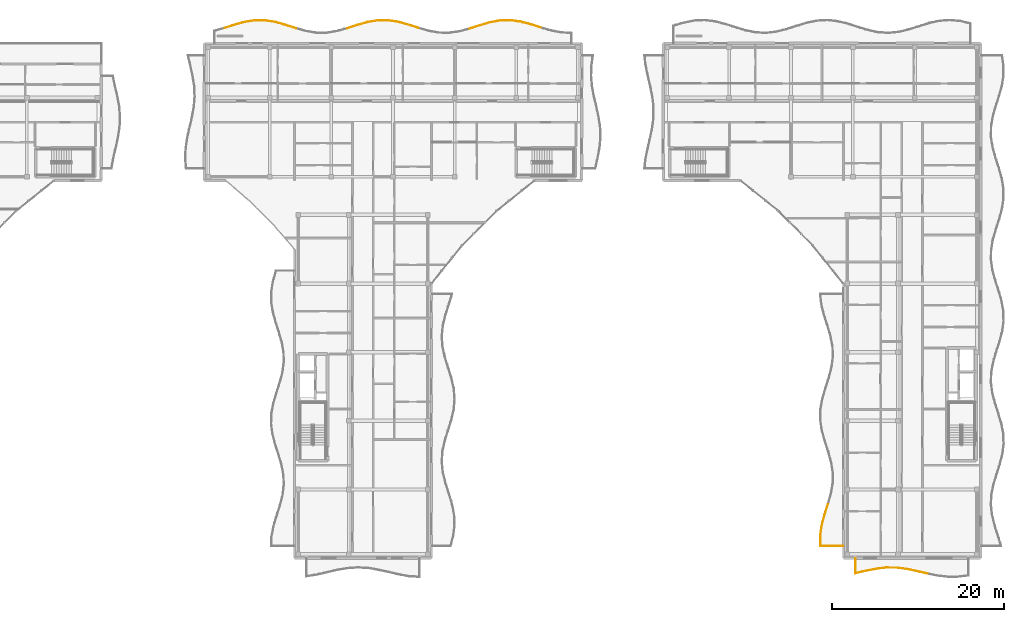
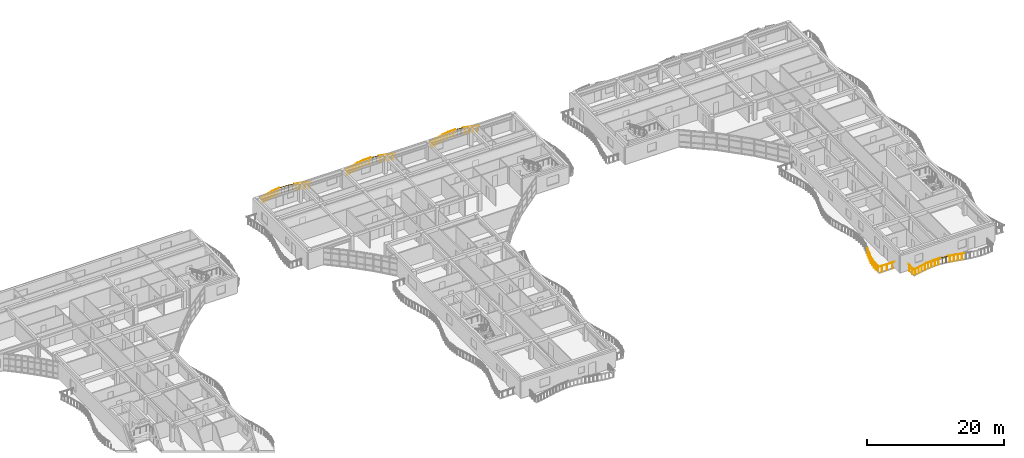
# One storey, part 61 of 68: 34 railings.
"""IFC4 building model written with IfcOpenShell, lengths in metres."""

from ifc_helpers import new_model, si_unit, direction, frame, origin, origin_2d, place, context, subcontext, project, spatial, circle, extrude, material, type_object, element, save


model = new_model("IFC4")

# Units and contexts
model_context = context("Model", 3, precision=1e-05, world=origin(), true_north=direction((0.0, 1.0)))
body_context = subcontext(model_context, "Body", "Model", "MODEL_VIEW")
ifc_project = project(units=[si_unit("LENGTHUNIT", "METRE"), si_unit("AREAUNIT", "SQUARE_METRE"), si_unit("VOLUMEUNIT", "CUBIC_METRE"), si_unit("PLANEANGLEUNIT", "RADIAN"), si_unit("MASSUNIT", "GRAM", prefix="KILO")], contexts=[model_context])

# Site, building, storey
site_placement = place(None, origin())
site = spatial("IfcSite", under=ifc_project, at=site_placement, CompositionType="ELEMENT")
building_placement = place(site_placement, origin())
building = spatial("IfcBuilding", under=site, at=building_placement, Name="Keldmere Railside Commons", CompositionType="ELEMENT")
storey_placement = place(building_placement, frame((0.0, 0.0, 23.360107421875)))
storey = spatial("IfcBuildingStorey", under=building, at=storey_placement, Name="L07", CompositionType="ELEMENT", Elevation=23.360107421875)

# Railings
ifc_material = material(Name="Steel F-24 (S235)", Category="steel")
railing_type = type_object("IfcRailingType", Name="Balcony & Terrace Steel Balustrade 1100", PredefinedType="BALUSTRADE", material=ifc_material)
railing_1_placement = place(storey_placement, frame((95.888671875, 117.790283203125, 0.0)))
element("IfcRailing", 1, at=railing_1_placement, inside=storey, type_object=railing_type, Name="GR-1 GRD-L07-2632", PredefinedType="BALUSTRADE", context=body_context, shape_type="SweptSolid", body=[
    extrude(circle(Radius=0.02392578125, at=origin_2d()), frame((0.0, 0.0, 1.076171875), z_axis=(0.951498381706, 0.307653749549, 0.0), x_axis=(-0.307653749549, 0.951498381706, 0.0)), (0.0, 0.0, 1.0), 1.2490234375),
    extrude(circle(Radius=0.02099609375, at=origin_2d()), frame((0.297119140625, 0.09619140625, 0.0)), (0.0, 0.0, 1.0), 1.048095703125),
    extrude(circle(Radius=0.02099609375, at=origin_2d()), frame((0.891357421875, 0.2880859375, 0.0)), (0.0, 0.0, 1.0), 1.048095703125),
])
railing_2_placement = place(storey_placement, frame((97.0771484375, 118.174560546875, 0.0)))
element("IfcRailing", 2, at=railing_2_placement, inside=storey, type_object=railing_type, Name="GR-1 GRD-L07-2633", PredefinedType="BALUSTRADE", context=body_context, shape_type="SweptSolid", body=[
    extrude(circle(Radius=0.02392578125, at=origin_2d()), frame((0.0, 0.0, 1.076171875), z_axis=(0.964544007788, 0.263922066223, 0.0), x_axis=(-0.263922066223, 0.964544007788, 0.0)), (0.0, 0.0, 1.0), 1.232177734375),
    extrude(circle(Radius=0.02099609375, at=origin_2d()), frame((0.297119140625, 0.081298828125, 0.0)), (0.0, 0.0, 1.0), 1.048095703125),
    extrude(circle(Radius=0.02099609375, at=origin_2d()), frame((0.891357421875, 0.243896484375, 0.0)), (0.0, 0.0, 1.0), 1.048095703125),
])
railing_3_placement = place(storey_placement, frame((98.265625, 118.499755859375, 0.0)))
element("IfcRailing", 3, at=railing_3_placement, inside=storey, type_object=railing_type, Name="GR-1 GRD-L07-2634", PredefinedType="BALUSTRADE", context=body_context, shape_type="SweptSolid", body=[
    extrude(circle(Radius=0.02392578125, at=origin_2d()), frame((0.0, 0.0, 1.076171875), z_axis=(0.988647049883, 0.150256483244, 0.0), x_axis=(-0.150256483244, 0.988647049883, 0.0)), (0.0, 0.0, 1.0), 1.202392578125),
    extrude(circle(Radius=0.02099609375, at=origin_2d()), frame((0.297119140625, 0.045166015625, 0.0)), (0.0, 0.0, 1.0), 1.048095703125),
    extrude(circle(Radius=0.02099609375, at=origin_2d()), frame((0.8916015625, 0.135498046875, 0.0)), (0.0, 0.0, 1.0), 1.048095703125),
])
railing_4_placement = place(storey_placement, frame((99.454345703125, 118.680419921875, 0.0)))
element("IfcRailing", 4, at=railing_4_placement, inside=storey, type_object=railing_type, Name="GR-1 GRD-L07-2635", PredefinedType="BALUSTRADE", context=body_context, shape_type="SweptSolid", body=[
    extrude(circle(Radius=0.02392578125, at=origin_2d()), frame((0.0, 0.0, 1.076171875), z_axis=(0.999953394817, -0.009654439104, 0.0), x_axis=(0.009654439104, 0.999953394817, 0.0)), (0.0, 0.0, 1.0), 1.1884765625),
    extrude(circle(Radius=0.02099609375, at=origin_2d()), frame((0.297119140625, -0.0029296875, 0.0)), (0.0, 0.0, 1.0), 1.048095703125),
    extrude(circle(Radius=0.02099609375, at=origin_2d()), frame((0.891357421875, -0.008544921875, 0.0)), (0.0, 0.0, 1.0), 1.048095703125),
])
railing_5_placement = place(storey_placement, frame((100.642822265625, 118.6689453125, 0.0)))
element("IfcRailing", 5, at=railing_5_placement, inside=storey, type_object=railing_type, Name="GR-1 GRD-L07-2636", PredefinedType="BALUSTRADE", context=body_context, shape_type="SweptSolid", body=[
    extrude(circle(Radius=0.02392578125, at=origin_2d()), frame((0.0, 0.0, 1.076171875), z_axis=(0.986074553432, -0.166303863675, 0.0), x_axis=(0.166303863675, 0.986074553432, 0.0)), (0.0, 0.0, 1.0), 1.205322265625),
    extrude(circle(Radius=0.02099609375, at=origin_2d()), frame((0.297119140625, -0.050048828125, 0.0)), (0.0, 0.0, 1.0), 1.048095703125),
    extrude(circle(Radius=0.02099609375, at=origin_2d()), frame((0.891357421875, -0.150390625, 0.0)), (0.0, 0.0, 1.0), 1.048095703125),
])
railing_6_placement = place(storey_placement, frame((101.831298828125, 118.468505859375, 0.0)))
element("IfcRailing", 6, at=railing_6_placement, inside=storey, type_object=railing_type, Name="GR-1 GRD-L07-2637", PredefinedType="BALUSTRADE", context=body_context, shape_type="SweptSolid", body=[
    extrude(circle(Radius=0.02392578125, at=origin_2d()), frame((0.0, 0.0, 1.076171875), z_axis=(0.962103401282, -0.27268488268, 0.0), x_axis=(0.27268488268, 0.962103401282, 0.0)), (0.0, 0.0, 1.0), 1.235595703125),
    extrude(circle(Radius=0.02099609375, at=origin_2d()), frame((0.297119140625, -0.084228515625, 0.0)), (0.0, 0.0, 1.0), 1.048095703125),
    extrude(circle(Radius=0.02099609375, at=origin_2d()), frame((0.8916015625, -0.252685546875, 0.0)), (0.0, 0.0, 1.0), 1.048095703125),
])
railing_7_placement = place(storey_placement, frame((103.02001953125, 118.131591796875, 0.0)))
element("IfcRailing", 7, at=railing_7_placement, inside=storey, type_object=railing_type, Name="GR-1 GRD-L07-2638", PredefinedType="BALUSTRADE", context=body_context, shape_type="SweptSolid", body=[
    extrude(circle(Radius=0.02392578125, at=origin_2d()), frame((0.0, 0.0, 1.076171875), z_axis=(0.951441151342, -0.307830692967, 0.0), x_axis=(0.307830692967, 0.951441151342, 0.0)), (0.0, 0.0, 1.0), 1.2490234375),
    extrude(circle(Radius=0.02099609375, at=origin_2d()), frame((0.297119140625, -0.09619140625, 0.0)), (0.0, 0.0, 1.0), 1.048095703125),
    extrude(circle(Radius=0.02099609375, at=origin_2d()), frame((0.891357421875, -0.288330078125, 0.0)), (0.0, 0.0, 1.0), 1.048095703125),
])
railing_8_placement = place(storey_placement, frame((110.1513671875, 117.746826171875, 0.0)))
element("IfcRailing", 8, at=railing_8_placement, inside=storey, type_object=railing_type, Name="GR-1 GRD-L07-2644", PredefinedType="BALUSTRADE", context=body_context, shape_type="SweptSolid", body=[
    extrude(circle(Radius=0.02392578125, at=origin_2d()), frame((0.0, 0.0, 1.076171875), z_axis=(0.951459666784, 0.307773459681, 0.0), x_axis=(-0.307773459681, 0.951459666784, 0.0)), (0.0, 0.0, 1.0), 1.249267578125),
    extrude(circle(Radius=0.02099609375, at=origin_2d()), frame((0.297119140625, 0.09619140625, 0.0)), (0.0, 0.0, 1.0), 1.048095703125),
    extrude(circle(Radius=0.02099609375, at=origin_2d()), frame((0.8916015625, 0.288330078125, 0.0)), (0.0, 0.0, 1.0), 1.048095703125),
])
railing_9_placement = place(storey_placement, frame((111.340087890625, 118.13134765625, 0.0)))
element("IfcRailing", 9, at=railing_9_placement, inside=storey, type_object=railing_type, Name="GR-1 GRD-L07-2645", PredefinedType="BALUSTRADE", context=body_context, shape_type="SweptSolid", body=[
    extrude(circle(Radius=0.02392578125, at=origin_2d()), frame((0.0, 0.0, 1.076171875), z_axis=(0.962088704307, 0.272736732117, 0.0), x_axis=(-0.272736732117, 0.962088704307, 0.0)), (0.0, 0.0, 1.0), 1.2353515625),
    extrude(circle(Radius=0.02099609375, at=origin_2d()), frame((0.297119140625, 0.084228515625, 0.0)), (0.0, 0.0, 1.0), 1.048095703125),
    extrude(circle(Radius=0.02099609375, at=origin_2d()), frame((0.891357421875, 0.252685546875, 0.0)), (0.0, 0.0, 1.0), 1.048095703125),
])
railing_10_placement = place(storey_placement, frame((112.528564453125, 118.46826171875, 0.0)))
element("IfcRailing", 10, at=railing_10_placement, inside=storey, type_object=railing_type, Name="GR-1 GRD-L07-2646", PredefinedType="BALUSTRADE", context=body_context, shape_type="SweptSolid", body=[
    extrude(circle(Radius=0.02392578125, at=origin_2d()), frame((0.0, 0.0, 1.076171875), z_axis=(0.986074553432, 0.166303863675, 0.0), x_axis=(-0.166303863675, 0.986074553432, 0.0)), (0.0, 0.0, 1.0), 1.205322265625),
    extrude(circle(Radius=0.02099609375, at=origin_2d()), frame((0.297119140625, 0.050048828125, 0.0)), (0.0, 0.0, 1.0), 1.048095703125),
    extrude(circle(Radius=0.02099609375, at=origin_2d()), frame((0.891357421875, 0.150390625, 0.0)), (0.0, 0.0, 1.0), 1.048095703125),
])
railing_11_placement = place(storey_placement, frame((113.717041015625, 118.668701171875, 0.0)))
element("IfcRailing", 11, at=railing_11_placement, inside=storey, type_object=railing_type, Name="GR-1 GRD-L07-2647", PredefinedType="BALUSTRADE", context=body_context, shape_type="SweptSolid", body=[
    extrude(circle(Radius=0.02392578125, at=origin_2d()), frame((0.0, 0.0, 1.076171875), z_axis=(0.999951410629, 0.009857808115, 0.0), x_axis=(-0.009857808115, 0.999951410629, 0.0)), (0.0, 0.0, 1.0), 1.188720703125),
    extrude(circle(Radius=0.02099609375, at=origin_2d()), frame((0.297119140625, 0.0029296875, 0.0)), (0.0, 0.0, 1.0), 1.048095703125),
    extrude(circle(Radius=0.02099609375, at=origin_2d()), frame((0.8916015625, 0.0087890625, 0.0)), (0.0, 0.0, 1.0), 1.048095703125),
])
railing_12_placement = place(storey_placement, frame((114.90576171875, 118.680419921875, 0.0)))
element("IfcRailing", 12, at=railing_12_placement, inside=storey, type_object=railing_type, Name="GR-1 GRD-L07-2648", PredefinedType="BALUSTRADE", context=body_context, shape_type="SweptSolid", body=[
    extrude(circle(Radius=0.02392578125, at=origin_2d()), frame((0.0, 0.0, 1.076171875), z_axis=(0.988672620323, -0.150088140185, 0.0), x_axis=(0.150088140185, 0.988672620323, 0.0)), (0.0, 0.0, 1.0), 1.2021484375),
    extrude(circle(Radius=0.02099609375, at=origin_2d()), frame((0.297119140625, -0.045166015625, 0.0)), (0.0, 0.0, 1.0), 1.048095703125),
    extrude(circle(Radius=0.02099609375, at=origin_2d()), frame((0.891357421875, -0.13525390625, 0.0)), (0.0, 0.0, 1.0), 1.048095703125),
])
railing_13_placement = place(storey_placement, frame((116.09423828125, 118.5, 0.0)))
element("IfcRailing", 13, at=railing_13_placement, inside=storey, type_object=railing_type, Name="GR-1 GRD-L07-2649", PredefinedType="BALUSTRADE", context=body_context, shape_type="SweptSolid", body=[
    extrude(circle(Radius=0.02392578125, at=origin_2d()), frame((0.0, 0.0, 1.076171875), z_axis=(0.964557805225, -0.26387163618, 0.0), x_axis=(0.26387163618, 0.964557805225, 0.0)), (0.0, 0.0, 1.0), 1.232421875),
    extrude(circle(Radius=0.02099609375, at=origin_2d()), frame((0.297119140625, -0.081298828125, 0.0)), (0.0, 0.0, 1.0), 1.048095703125),
    extrude(circle(Radius=0.02099609375, at=origin_2d()), frame((0.8916015625, -0.243896484375, 0.0)), (0.0, 0.0, 1.0), 1.048095703125),
])
railing_14_placement = place(storey_placement, frame((117.282958984375, 118.1748046875, 0.0)))
element("IfcRailing", 14, at=railing_14_placement, inside=storey, type_object=railing_type, Name="GR-1 GRD-L07-2650", PredefinedType="BALUSTRADE", context=body_context, shape_type="SweptSolid", body=[
    extrude(circle(Radius=0.02392578125, at=origin_2d()), frame((0.0, 0.0, 1.076171875), z_axis=(0.951498381706, -0.307653749549, 0.0), x_axis=(0.307653749549, 0.951498381706, 0.0)), (0.0, 0.0, 1.0), 1.2490234375),
    extrude(circle(Radius=0.02099609375, at=origin_2d()), frame((0.297119140625, -0.09619140625, 0.0)), (0.0, 0.0, 1.0), 1.048095703125),
    extrude(circle(Radius=0.02099609375, at=origin_2d()), frame((0.891357421875, -0.2880859375, 0.0)), (0.0, 0.0, 1.0), 1.048095703125),
])
railing_15_placement = place(storey_placement, frame((124.414306640625, 117.7041015625, 0.0)))
element("IfcRailing", 15, at=railing_15_placement, inside=storey, type_object=railing_type, Name="GR-1 GRD-L07-2656", PredefinedType="BALUSTRADE", context=body_context, shape_type="SweptSolid", body=[
    extrude(circle(Radius=0.02392578125, at=origin_2d()), frame((0.0, 0.0, 1.076171875), z_axis=(0.951727042699, 0.306945656746, 0.0), x_axis=(-0.306945656746, 0.951727042699, 0.0)), (0.0, 0.0, 1.0), 1.248779296875),
    extrude(circle(Radius=0.02099609375, at=origin_2d()), frame((0.297119140625, 0.095703125, 0.0)), (0.0, 0.0, 1.0), 1.048095703125),
    extrude(circle(Radius=0.02099609375, at=origin_2d()), frame((0.891357421875, 0.28759765625, 0.0)), (0.0, 0.0, 1.0), 1.048095703125),
])
railing_16_placement = place(storey_placement, frame((125.602783203125, 118.08740234375, 0.0)))
element("IfcRailing", 16, at=railing_16_placement, inside=storey, type_object=railing_type, Name="GR-1 GRD-L07-2657", PredefinedType="BALUSTRADE", context=body_context, shape_type="SweptSolid", body=[
    extrude(circle(Radius=0.02392578125, at=origin_2d()), frame((0.0, 0.0, 1.076171875), z_axis=(0.95984751242, 0.280522285926, 0.0), x_axis=(-0.280522285926, 0.95984751242, 0.0)), (0.0, 0.0, 1.0), 1.238525390625),
    extrude(circle(Radius=0.02099609375, at=origin_2d()), frame((0.297119140625, 0.0869140625, 0.0)), (0.0, 0.0, 1.0), 1.048095703125),
    extrude(circle(Radius=0.02099609375, at=origin_2d()), frame((0.8916015625, 0.260498046875, 0.0)), (0.0, 0.0, 1.0), 1.048095703125),
])
railing_17_placement = place(storey_placement, frame((126.79150390625, 118.434814453125, 0.0)))
element("IfcRailing", 17, at=railing_17_placement, inside=storey, type_object=railing_type, Name="GR-1 GRD-L07-2658", PredefinedType="BALUSTRADE", context=body_context, shape_type="SweptSolid", body=[
    extrude(circle(Radius=0.02392578125, at=origin_2d()), frame((0.0, 0.0, 1.076171875), z_axis=(0.983299413634, 0.181995228366, 0.0), x_axis=(-0.181995228366, 0.983299413634, 0.0)), (0.0, 0.0, 1.0), 1.208740234375),
    extrude(circle(Radius=0.02099609375, at=origin_2d()), frame((0.297119140625, 0.054931640625, 0.0)), (0.0, 0.0, 1.0), 1.048095703125),
    extrude(circle(Radius=0.02099609375, at=origin_2d()), frame((0.891357421875, 0.1650390625, 0.0)), (0.0, 0.0, 1.0), 1.048095703125),
])
railing_18_placement = place(storey_placement, frame((127.97998046875, 118.65478515625, 0.0)))
element("IfcRailing", 18, at=railing_18_placement, inside=storey, type_object=railing_type, Name="GR-1 GRD-L07-2659", PredefinedType="BALUSTRADE", context=body_context, shape_type="SweptSolid", body=[
    extrude(circle(Radius=0.02392578125, at=origin_2d()), frame((0.0, 0.0, 1.076171875), z_axis=(0.999580959853, 0.028946583557, 0.0), x_axis=(-0.028946583557, 0.999580959853, 0.0)), (0.0, 0.0, 1.0), 1.189208984375),
    extrude(circle(Radius=0.02099609375, at=origin_2d()), frame((0.297119140625, 0.008544921875, 0.0)), (0.0, 0.0, 1.0), 1.048095703125),
    extrude(circle(Radius=0.02099609375, at=origin_2d()), frame((0.8916015625, 0.02587890625, 0.0)), (0.0, 0.0, 1.0), 1.048095703125),
])
railing_19_placement = place(storey_placement, frame((129.168701171875, 118.689208984375, 0.0)))
element("IfcRailing", 19, at=railing_19_placement, inside=storey, type_object=railing_type, Name="GR-1 GRD-L07-2660", PredefinedType="BALUSTRADE", context=body_context, shape_type="SweptSolid", body=[
    extrude(circle(Radius=0.02392578125, at=origin_2d()), frame((0.0, 0.0, 1.076171875), z_axis=(0.991068942283, -0.133350484223, 0.0), x_axis=(0.133350484223, 0.991068942283, 0.0)), (0.0, 0.0, 1.0), 1.19921875),
    extrude(circle(Radius=0.02099609375, at=origin_2d()), frame((0.297119140625, -0.0400390625, 0.0)), (0.0, 0.0, 1.0), 1.048095703125),
    extrude(circle(Radius=0.02099609375, at=origin_2d()), frame((0.891357421875, -0.119873046875, 0.0)), (0.0, 0.0, 1.0), 1.048095703125),
])
railing_20_placement = place(storey_placement, frame((130.357177734375, 118.529296875, 0.0)))
element("IfcRailing", 20, at=railing_20_placement, inside=storey, type_object=railing_type, Name="GR-1 GRD-L07-2661", PredefinedType="BALUSTRADE", context=body_context, shape_type="SweptSolid", body=[
    extrude(circle(Radius=0.02392578125, at=origin_2d()), frame((0.0, 0.0, 1.076171875), z_axis=(0.967174831543, -0.25411187542, 0.0), x_axis=(0.25411187542, 0.967174831543, 0.0)), (0.0, 0.0, 1.0), 1.228759765625),
    extrude(circle(Radius=0.02099609375, at=origin_2d()), frame((0.297119140625, -0.078125, 0.0)), (0.0, 0.0, 1.0), 1.048095703125),
    extrude(circle(Radius=0.02099609375, at=origin_2d()), frame((0.891357421875, -0.234130859375, 0.0)), (0.0, 0.0, 1.0), 1.048095703125),
])
railing_21_placement = place(storey_placement, frame((131.545654296875, 118.217041015625, 0.0)))
element("IfcRailing", 21, at=railing_21_placement, inside=storey, type_object=railing_type, Name="GR-1 GRD-L07-2662", PredefinedType="BALUSTRADE", context=body_context, shape_type="SweptSolid", body=[
    extrude(circle(Radius=0.02392578125, at=origin_2d()), frame((0.0, 0.0, 1.076171875), z_axis=(0.951973620287, -0.306180055323, 0.0), x_axis=(0.306180055323, 0.951973620287, 0.0)), (0.0, 0.0, 1.0), 1.248779296875),
    extrude(circle(Radius=0.02099609375, at=origin_2d()), frame((0.297119140625, -0.095703125, 0.0)), (0.0, 0.0, 1.0), 1.048095703125),
    extrude(circle(Radius=0.02099609375, at=origin_2d()), frame((0.8916015625, -0.28662109375, 0.0)), (0.0, 0.0, 1.0), 1.048095703125),
])
railing_22_placement = place(storey_placement, frame((168.0, 57.39990234375, 0.0)))
element("IfcRailing", 22, at=railing_22_placement, inside=storey, type_object=railing_type, Name="GR-1 GRD-L07-3985", PredefinedType="BALUSTRADE", context=body_context, shape_type="SweptSolid", body=[
    extrude(circle(Radius=0.02392578125, at=origin_2d()), frame((0.0, 0.0, 1.076171875), z_axis=(-1.0, 0.0, 0.0), x_axis=(0.0, -1.0, 0.0)), (0.0, 0.0, 1.0), 2.653564453125),
    extrude(circle(Radius=0.02099609375, at=origin_2d()), frame((-0.4423828125, 0.0, 0.0)), (0.0, 0.0, 1.0), 1.048095703125),
    extrude(circle(Radius=0.02099609375, at=origin_2d()), frame((-1.32666015625, 0.0, 0.0)), (0.0, 0.0, 1.0), 1.048095703125),
    extrude(circle(Radius=0.02099609375, at=origin_2d()), frame((-2.21142578125, 0.0, 0.0)), (0.0, 0.0, 1.0), 1.048095703125),
])
railing_23_placement = place(storey_placement, frame((165.346435546875, 57.39990234375, 0.0)))
element("IfcRailing", 23, at=railing_23_placement, inside=storey, type_object=railing_type, Name="GR-1 GRD-L07-3986", PredefinedType="BALUSTRADE", context=body_context, shape_type="SweptSolid", body=[
    extrude(circle(Radius=0.02392578125, at=origin_2d()), frame((0.0, 0.0, 1.076171875), z_axis=(-0.027888709606, 0.999611034291, 0.0), x_axis=(-0.999611034291, -0.027888709606, 0.0)), (0.0, 0.0, 1.0), 1.2255859375),
    extrude(circle(Radius=0.02099609375, at=origin_2d()), frame((-0.008544921875, 0.30615234375, 0.0)), (0.0, 0.0, 1.0), 1.048095703125),
    extrude(circle(Radius=0.02099609375, at=origin_2d()), frame((-0.025634765625, 0.9189453125, 0.0)), (0.0, 0.0, 1.0), 1.048095703125),
])
railing_24_placement = place(storey_placement, frame((165.312255859375, 58.625, 0.0)))
element("IfcRailing", 24, at=railing_24_placement, inside=storey, type_object=railing_type, Name="GR-1 GRD-L07-3987", PredefinedType="BALUSTRADE", context=body_context, shape_type="SweptSolid", body=[
    extrude(circle(Radius=0.02392578125, at=origin_2d()), frame((0.0, 0.0, 1.076171875), z_axis=(0.138547189103, 0.990355833219, 0.0), x_axis=(-0.990355833219, 0.138547189103, 0.0)), (0.0, 0.0, 1.0), 1.237060546875),
    extrude(circle(Radius=0.02099609375, at=origin_2d()), frame((0.04296875, 0.30615234375, 0.0)), (0.0, 0.0, 1.0), 1.048095703125),
    extrude(circle(Radius=0.02099609375, at=origin_2d()), frame((0.12841796875, 0.9189453125, 0.0)), (0.0, 0.0, 1.0), 1.048095703125),
])
railing_25_placement = place(storey_placement, frame((165.483642578125, 59.85009765625, 0.0)))
element("IfcRailing", 25, at=railing_25_placement, inside=storey, type_object=railing_type, Name="GR-1 GRD-L07-3988", PredefinedType="BALUSTRADE", context=body_context, shape_type="SweptSolid", body=[
    extrude(circle(Radius=0.02392578125, at=origin_2d()), frame((0.0, 0.0, 1.076171875), z_axis=(0.259842322026, 0.965651058967, 0.0), x_axis=(-0.965651058967, 0.259842322026, 0.0)), (0.0, 0.0, 1.0), 1.268310546875),
    extrude(circle(Radius=0.02099609375, at=origin_2d()), frame((0.08251953125, 0.30615234375, 0.0)), (0.0, 0.0, 1.0), 1.048095703125),
    extrude(circle(Radius=0.02099609375, at=origin_2d()), frame((0.2470703125, 0.918701171875, 0.0)), (0.0, 0.0, 1.0), 1.048095703125),
])
railing_26_placement = place(storey_placement, frame((165.813232421875, 61.074951171875, 0.0)))
element("IfcRailing", 26, at=railing_26_placement, inside=storey, type_object=railing_type, Name="GR-1 GRD-L07-3989", PredefinedType="BALUSTRADE", context=body_context, shape_type="SweptSolid", body=[
    extrude(circle(Radius=0.02392578125, at=origin_2d()), frame((0.0, 0.0, 1.076171875), z_axis=(0.307224411019, 0.951637095365, 0.0), x_axis=(-0.951637095365, 0.307224411019, 0.0)), (0.0, 0.0, 1.0), 1.287353515625),
    extrude(circle(Radius=0.02099609375, at=origin_2d()), frame((0.098876953125, 0.30615234375, 0.0)), (0.0, 0.0, 1.0), 1.048095703125),
    extrude(circle(Radius=0.02099609375, at=origin_2d()), frame((0.296630859375, 0.9189453125, 0.0)), (0.0, 0.0, 1.0), 1.048095703125),
])
railing_27_placement = place(storey_placement, frame((169.39990234375, 56.0, 0.0)))
element("IfcRailing", 27, at=railing_27_placement, inside=storey, type_object=railing_type, Name="GR-1 GRD-L07-4074", PredefinedType="BALUSTRADE", context=body_context, shape_type="SweptSolid", body=[
    extrude(circle(Radius=0.02392578125, at=origin_2d()), frame((0.0, 0.0, 1.076171875), z_axis=(0.0, -1.0, 0.0), x_axis=(1.0, 0.0, 0.0)), (0.0, 0.0, 1.0), 1.772705078125),
    extrude(circle(Radius=0.02099609375, at=origin_2d()), frame((0.0, -0.443115234375, 0.0)), (0.0, 0.0, 1.0), 1.048095703125),
    extrude(circle(Radius=0.02099609375, at=origin_2d()), frame((0.0, -1.32958984375, 0.0)), (0.0, 0.0, 1.0), 1.048095703125),
])
railing_28_placement = place(storey_placement, frame((169.39990234375, 54.227294921875, 0.0)))
element("IfcRailing", 28, at=railing_28_placement, inside=storey, type_object=railing_type, Name="GR-1 GRD-L07-4075", PredefinedType="BALUSTRADE", context=body_context, shape_type="SweptSolid", body=[
    extrude(circle(Radius=0.02392578125, at=origin_2d()), frame((0.0, 0.0, 1.076171875), z_axis=(0.973005478576, 0.230782015464, 0.0), x_axis=(-0.230782015464, 0.973005478576, 0.0)), (0.0, 0.0, 1.0), 1.2333984375),
    extrude(circle(Radius=0.02099609375, at=origin_2d()), frame((0.300048828125, 0.0712890625, 0.0)), (0.0, 0.0, 1.0), 1.048095703125),
    extrude(circle(Radius=0.02099609375, at=origin_2d()), frame((0.900146484375, 0.21337890625, 0.0)), (0.0, 0.0, 1.0), 1.048095703125),
])
railing_29_placement = place(storey_placement, frame((170.60009765625, 54.511962890625, 0.0)))
element("IfcRailing", 29, at=railing_29_placement, inside=storey, type_object=railing_type, Name="GR-1 GRD-L07-4076", PredefinedType="BALUSTRADE", context=body_context, shape_type="SweptSolid", body=[
    extrude(circle(Radius=0.02392578125, at=origin_2d()), frame((0.0, 0.0, 1.076171875), z_axis=(0.9804269321, 0.196883292367, 0.0), x_axis=(-0.196883292367, 0.9804269321, 0.0)), (0.0, 0.0, 1.0), 1.223876953125),
    extrude(circle(Radius=0.02099609375, at=origin_2d()), frame((0.300048828125, 0.060302734375, 0.0)), (0.0, 0.0, 1.0), 1.048095703125),
    extrude(circle(Radius=0.02099609375, at=origin_2d()), frame((0.89990234375, 0.1806640625, 0.0)), (0.0, 0.0, 1.0), 1.048095703125),
])
railing_30_placement = place(storey_placement, frame((171.800048828125, 54.7529296875, 0.0)))
element("IfcRailing", 30, at=railing_30_placement, inside=storey, type_object=railing_type, Name="GR-1 GRD-L07-4077", PredefinedType="BALUSTRADE", context=body_context, shape_type="SweptSolid", body=[
    extrude(circle(Radius=0.02392578125, at=origin_2d()), frame((0.0, 0.0, 1.076171875), z_axis=(0.993886200461, 0.11040933173, 0.0), x_axis=(-0.11040933173, 0.993886200461, 0.0)), (0.0, 0.0, 1.0), 1.207275390625),
    extrude(circle(Radius=0.02099609375, at=origin_2d()), frame((0.300048828125, 0.033203125, 0.0)), (0.0, 0.0, 1.0), 1.048095703125),
    extrude(circle(Radius=0.02099609375, at=origin_2d()), frame((0.89990234375, 0.10009765625, 0.0)), (0.0, 0.0, 1.0), 1.048095703125),
])
railing_31_placement = place(storey_placement, frame((173.0, 54.88623046875, 0.0)))
element("IfcRailing", 31, at=railing_31_placement, inside=storey, type_object=railing_type, Name="GR-1 GRD-L07-4078", PredefinedType="BALUSTRADE", context=body_context, shape_type="SweptSolid", body=[
    extrude(circle(Radius=0.02392578125, at=origin_2d()), frame((0.0, 0.0, 1.076171875), z_axis=(0.999959931581, -0.008951828482, 0.0), x_axis=(0.008951828482, 0.999959931581, 0.0)), (0.0, 0.0, 1.0), 1.199951171875),
    extrude(circle(Radius=0.02099609375, at=origin_2d()), frame((0.300048828125, -0.002685546875, 0.0)), (0.0, 0.0, 1.0), 1.048095703125),
    extrude(circle(Radius=0.02099609375, at=origin_2d()), frame((0.89990234375, -0.008056640625, 0.0)), (0.0, 0.0, 1.0), 1.048095703125),
])
railing_32_placement = place(storey_placement, frame((174.199951171875, 54.87548828125, 0.0)))
element("IfcRailing", 32, at=railing_32_placement, inside=storey, type_object=railing_type, Name="GR-1 GRD-L07-4079", PredefinedType="BALUSTRADE", context=body_context, shape_type="SweptSolid", body=[
    extrude(circle(Radius=0.02392578125, at=origin_2d()), frame((0.0, 0.0, 1.076171875), z_axis=(0.99213749829, -0.125152644749, 0.0), x_axis=(0.125152644749, 0.99213749829, 0.0)), (0.0, 0.0, 1.0), 1.20947265625),
    extrude(circle(Radius=0.02099609375, at=origin_2d()), frame((0.300048828125, -0.037841796875, 0.0)), (0.0, 0.0, 1.0), 1.048095703125),
    extrude(circle(Radius=0.02099609375, at=origin_2d()), frame((0.89990234375, -0.113525390625, 0.0)), (0.0, 0.0, 1.0), 1.048095703125),
])
railing_33_placement = place(storey_placement, frame((175.39990234375, 54.72412109375, 0.0)))
element("IfcRailing", 33, at=railing_33_placement, inside=storey, type_object=railing_type, Name="GR-1 GRD-L07-4080", PredefinedType="BALUSTRADE", context=body_context, shape_type="SweptSolid", body=[
    extrude(circle(Radius=0.02392578125, at=origin_2d()), frame((0.0, 0.0, 1.076171875), z_axis=(0.978747896696, -0.205067195606, 0.0), x_axis=(0.205067195606, 0.978747896696, 0.0)), (0.0, 0.0, 1.0), 1.226318359375),
    extrude(circle(Radius=0.02099609375, at=origin_2d()), frame((0.300048828125, -0.06298828125, 0.0)), (0.0, 0.0, 1.0), 1.048095703125),
    extrude(circle(Radius=0.02099609375, at=origin_2d()), frame((0.900146484375, -0.1884765625, 0.0)), (0.0, 0.0, 1.0), 1.048095703125),
])
railing_34_placement = place(storey_placement, frame((176.60009765625, 54.47265625, 0.0)))
element("IfcRailing", 34, at=railing_34_placement, inside=storey, type_object=railing_type, Name="GR-1 GRD-L07-4081", PredefinedType="BALUSTRADE", context=body_context, shape_type="SweptSolid", body=[
    extrude(circle(Radius=0.02392578125, at=origin_2d()), frame((0.0, 0.0, 1.076171875), z_axis=(0.97299493391, -0.230826468553, 0.0), x_axis=(0.230826468553, 0.97299493391, 0.0)), (0.0, 0.0, 1.0), 1.233154296875),
    extrude(circle(Radius=0.02099609375, at=origin_2d()), frame((0.300048828125, -0.0712890625, 0.0)), (0.0, 0.0, 1.0), 1.048095703125),
    extrude(circle(Radius=0.02099609375, at=origin_2d()), frame((0.89990234375, -0.21337890625, 0.0)), (0.0, 0.0, 1.0), 1.048095703125),
])

save(model, "model.ifc")
